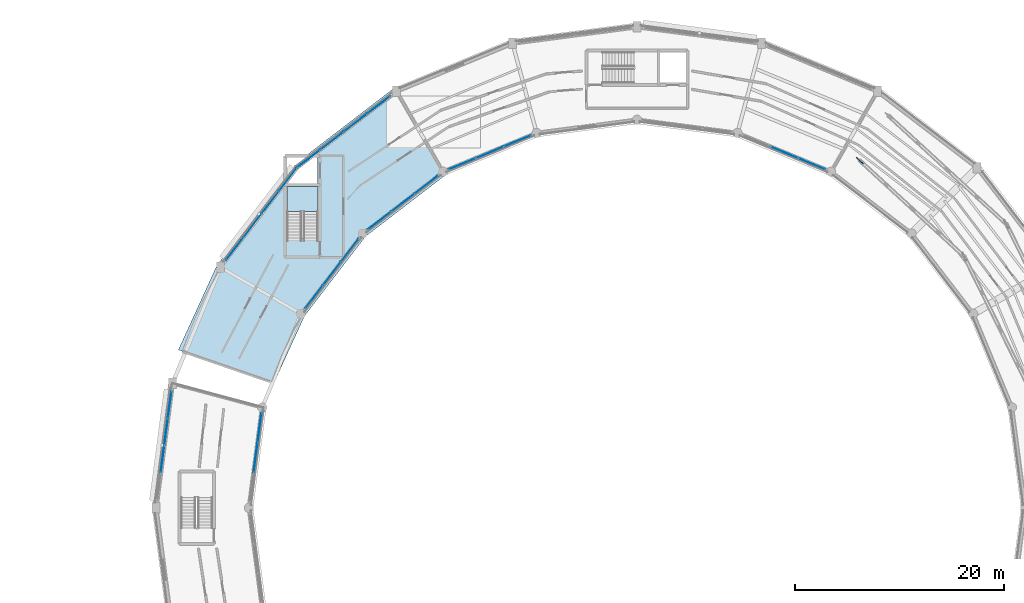
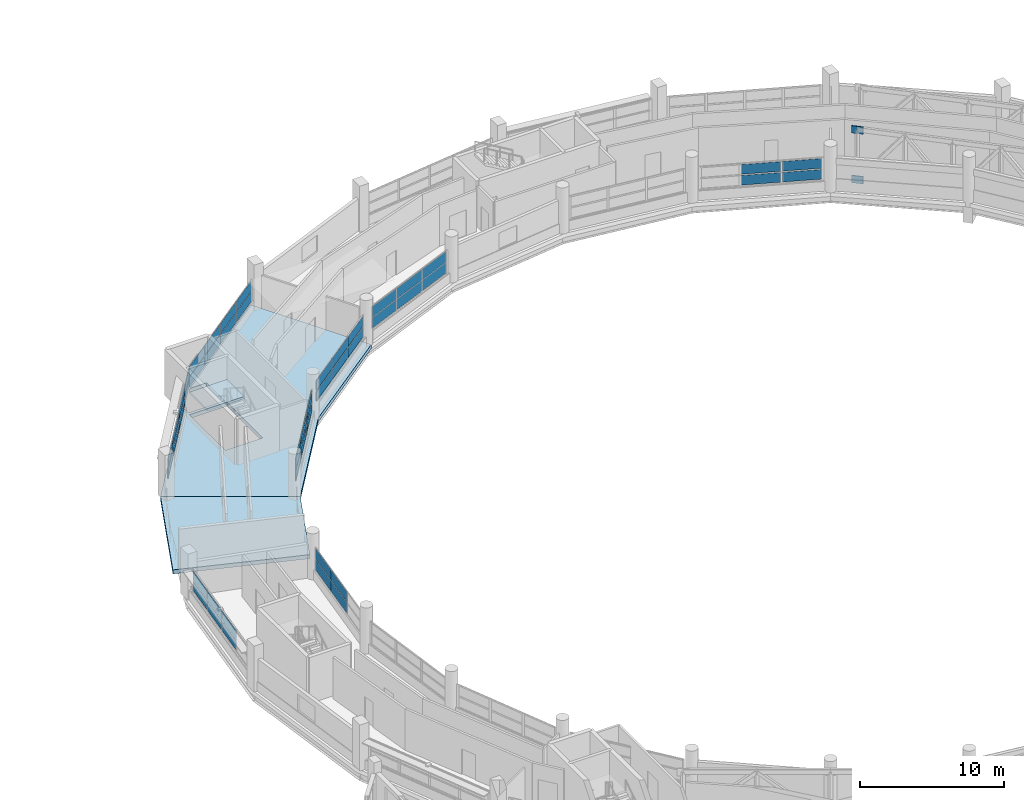
# One storey, part 91 of 121: 50 plates, 3 slabs, 9 elements without a shape of their own.
"""IFC4 building model written with IfcOpenShell, lengths in metres."""

from ifc_helpers import new_model, si_unit, direction, frame, origin, origin_2d, place, context, subcontext, project, spatial, polyline, rectangle, outline, extrude, material, layer, layer_set, type_object, element, aggregate, save


model = new_model("IFC4")

# Units and contexts
model_context = context("Model", 3, precision=1e-05, world=origin(), true_north=direction((0.0, 1.0)))
body_context = subcontext(model_context, "Body", "Model", "MODEL_VIEW")
ifc_project = project(units=[si_unit("LENGTHUNIT", "METRE"), si_unit("AREAUNIT", "SQUARE_METRE"), si_unit("VOLUMEUNIT", "CUBIC_METRE"), si_unit("PLANEANGLEUNIT", "RADIAN"), si_unit("MASSUNIT", "GRAM", prefix="KILO")], contexts=[model_context])

# Site, building, storey
site_placement = place(None, origin())
site = spatial("IfcSite", under=ifc_project, at=site_placement, CompositionType="ELEMENT")
building_placement = place(site_placement, origin())
building = spatial("IfcBuilding", under=site, at=building_placement, Name="Vespera Passage Community Centre", CompositionType="ELEMENT")
storey_placement = place(building_placement, frame((0.0, 0.0, 8.699951171875)))
storey = spatial("IfcBuildingStorey", under=building, at=storey_placement, Name="L02", CompositionType="ELEMENT", Elevation=8.699951171875)

# Curtain wall, plates
ifc_material_1 = material(Name="Anodized aluminium 6063-T6", Category="aluminium")
ifc_layer_1 = layer(ifc_material_1, 0.159912109375)
ifc_layer_set_1 = layer_set([ifc_layer_1], Name="Anodized aluminium 6063-T6")
curtain_wall_type_1 = type_object("IfcCurtainWallType", Name="CW-31E", PredefinedType="NOTDEFINED", material=ifc_layer_set_1)
curtain_wall_1_placement = place(storey_placement, origin())
curtain_wall_1 = element("IfcCurtainWall", 1, at=curtain_wall_1_placement, inside=storey, type_object=curtain_wall_type_1, Name="V4 L02 Outer Ribbon Curtain Wall 9", PredefinedType="NOTDEFINED")
ifc_material_2 = material(Name="Low-E insulated vision glass", Category="glass")
ifc_layer_2 = layer(ifc_material_2, 0.02001953125)
ifc_layer_set_2 = layer_set([ifc_layer_2], Name="Low-E insulated vision glass")
plate_type_1 = type_object("IfcPlateType", Name="PL-CWP-20E", PredefinedType="CURTAIN_PANEL", material=ifc_layer_set_2)
plate_1_placement = place(storey_placement, frame((39.444580078125, 90.333251953125, 0.920166015625), z_axis=(0.0, 0.0, 1.0), x_axis=(0.608765222978, 0.793350429062, 0.0)))
plate_1 = element("IfcPlate", 2, at=plate_1_placement, type_object=plate_type_1, Name="CW-31E panel 1.1", PredefinedType="CURTAIN_PANEL", context=body_context, shape_type="SweptSolid", body=[
    extrude(rectangle(XDim=2.703369140625, YDim=0.02001953125, at=origin_2d()), origin(), (0.0, 0.0, 1.0), 0.78271484375),
])
plate_2_placement = place(storey_placement, frame((39.444580078125, 90.333251953125, 1.802978515625), z_axis=(0.0, 0.0, 1.0), x_axis=(0.608765222978, 0.793350429062, 0.0)))
plate_2 = element("IfcPlate", 3, at=plate_2_placement, type_object=plate_type_1, Name="CW-31E panel 1.2", PredefinedType="CURTAIN_PANEL", context=body_context, shape_type="SweptSolid", body=[
    extrude(rectangle(XDim=2.703369140625, YDim=0.02001953125, at=origin_2d()), origin(), (0.0, 0.0, 1.0), 0.78271484375),
])
plate_3_placement = place(storey_placement, frame((41.1396484375, 92.54248046875, 0.920166015625), z_axis=(0.0, 0.0, 1.0), x_axis=(0.608765222978, 0.793350429062, 0.0)))
plate_3 = element("IfcPlate", 4, at=plate_3_placement, type_object=plate_type_1, Name="CW-31E panel 2.1", PredefinedType="CURTAIN_PANEL", context=body_context, shape_type="SweptSolid", body=[
    extrude(rectangle(XDim=2.73583984375, YDim=0.02001953125, at=origin_2d()), origin(), (0.0, 0.0, 1.0), 0.78271484375),
])
plate_4_placement = place(storey_placement, frame((41.1396484375, 92.54248046875, 1.802978515625), z_axis=(0.0, 0.0, 1.0), x_axis=(0.608765222978, 0.793350429062, 0.0)))
plate_4 = element("IfcPlate", 5, at=plate_4_placement, type_object=plate_type_1, Name="CW-31E panel 2.2", PredefinedType="CURTAIN_PANEL", context=body_context, shape_type="SweptSolid", body=[
    extrude(rectangle(XDim=2.73583984375, YDim=0.02001953125, at=origin_2d()), origin(), (0.0, 0.0, 1.0), 0.78271484375),
])
plate_5_placement = place(storey_placement, frame((42.8447265625, 94.764404296875, 0.920166015625), z_axis=(0.0, 0.0, 1.0), x_axis=(0.608765222978, 0.793350429062, 0.0)))
plate_5 = element("IfcPlate", 6, at=plate_5_placement, type_object=plate_type_1, Name="CW-31E panel 3.1", PredefinedType="CURTAIN_PANEL", context=body_context, shape_type="SweptSolid", body=[
    extrude(rectangle(XDim=2.73583984375, YDim=0.02001953125, at=origin_2d()), origin(), (0.0, 0.0, 1.0), 0.78271484375),
])
plate_6_placement = place(storey_placement, frame((42.8447265625, 94.764404296875, 1.802978515625), z_axis=(0.0, 0.0, 1.0), x_axis=(0.608765222978, 0.793350429062, 0.0)))
plate_6 = element("IfcPlate", 7, at=plate_6_placement, type_object=plate_type_1, Name="CW-31E panel 3.2", PredefinedType="CURTAIN_PANEL", context=body_context, shape_type="SweptSolid", body=[
    extrude(rectangle(XDim=2.73583984375, YDim=0.02001953125, at=origin_2d()), origin(), (0.0, 0.0, 1.0), 0.78271484375),
])
plate_7_placement = place(storey_placement, frame((44.5400390625, 96.9736328125, 0.920166015625), z_axis=(0.0, 0.0, 1.0), x_axis=(0.608765222978, 0.793350429062, 0.0)))
plate_7 = element("IfcPlate", 8, at=plate_7_placement, type_object=plate_type_1, Name="CW-31E panel 4.1", PredefinedType="CURTAIN_PANEL", context=body_context, shape_type="SweptSolid", body=[
    extrude(rectangle(XDim=2.703369140625, YDim=0.02001953125, at=origin_2d()), origin(), (0.0, 0.0, 1.0), 0.78271484375),
])
plate_8_placement = place(storey_placement, frame((44.5400390625, 96.9736328125, 1.802978515625), z_axis=(0.0, 0.0, 1.0), x_axis=(0.608765222978, 0.793350429062, 0.0)))
plate_8 = element("IfcPlate", 9, at=plate_8_placement, type_object=plate_type_1, Name="CW-31E panel 4.2", PredefinedType="CURTAIN_PANEL", context=body_context, shape_type="SweptSolid", body=[
    extrude(rectangle(XDim=2.703369140625, YDim=0.02001953125, at=origin_2d()), origin(), (0.0, 0.0, 1.0), 0.78271484375),
])
aggregate(curtain_wall_1, [plate_1, plate_2, plate_3, plate_4, plate_5, plate_6, plate_7, plate_8])

ifc_material_3 = material(Name="Anodized aluminium 6063-T6", Category="aluminium")
ifc_layer_3 = layer(ifc_material_3, 0.159912109375)
ifc_layer_set_3 = layer_set([ifc_layer_3], Name="Anodized aluminium 6063-T6")
curtain_wall_type_2 = type_object("IfcCurtainWallType", Name="CW-32E", PredefinedType="NOTDEFINED", material=ifc_layer_set_3)
curtain_wall_2_placement = place(storey_placement, origin())
curtain_wall_2 = element("IfcCurtainWall", 10, at=curtain_wall_2_placement, inside=storey, type_object=curtain_wall_type_2, Name="V4 L02 Inner Court Curtain Wall 9", PredefinedType="NOTDEFINED")
plate_9_placement = place(storey_placement, frame((50.458251953125, 90.191650390625, 0.880126953125), z_axis=(0.0, 0.0, 1.0), x_axis=(-0.608755087843, -0.793358205999, 0.0)))
plate_9 = element("IfcPlate", 11, at=plate_9_placement, type_object=plate_type_1, Name="CW-32E panel 1.1", PredefinedType="CURTAIN_PANEL", context=body_context, shape_type="SweptSolid", body=[
    extrude(rectangle(XDim=2.72900390625, YDim=0.02001953125, at=origin_2d()), origin(), (0.0, 0.0, 1.0), 0.884765625),
])
plate_10_placement = place(storey_placement, frame((50.458251953125, 90.191650390625, 1.82470703125), z_axis=(0.0, 0.0, 1.0), x_axis=(-0.608755087843, -0.793358205999, 0.0)))
plate_10 = element("IfcPlate", 12, at=plate_10_placement, type_object=plate_type_1, Name="CW-32E panel 1.2", PredefinedType="CURTAIN_PANEL", context=body_context, shape_type="SweptSolid", body=[
    extrude(rectangle(XDim=2.72900390625, YDim=0.02001953125, at=origin_2d()), origin(), (0.0, 0.0, 1.0), 0.884765625),
])
plate_11_placement = place(storey_placement, frame((48.73974609375, 87.9521484375, 0.880126953125), z_axis=(0.0, 0.0, 1.0), x_axis=(-0.608755087843, -0.793358205999, 0.0)))
plate_11 = element("IfcPlate", 13, at=plate_11_placement, type_object=plate_type_1, Name="CW-32E panel 2.1", PredefinedType="CURTAIN_PANEL", context=body_context, shape_type="SweptSolid", body=[
    extrude(rectangle(XDim=2.7666015625, YDim=0.02001953125, at=origin_2d()), origin(), (0.0, 0.0, 1.0), 0.884765625),
])
plate_12_placement = place(storey_placement, frame((48.73974609375, 87.9521484375, 1.82470703125), z_axis=(0.0, 0.0, 1.0), x_axis=(-0.608755087843, -0.793358205999, 0.0)))
plate_12 = element("IfcPlate", 14, at=plate_12_placement, type_object=plate_type_1, Name="CW-32E panel 2.2", PredefinedType="CURTAIN_PANEL", context=body_context, shape_type="SweptSolid", body=[
    extrude(rectangle(XDim=2.7666015625, YDim=0.02001953125, at=origin_2d()), origin(), (0.0, 0.0, 1.0), 0.884765625),
])
plate_13_placement = place(storey_placement, frame((47.021240234375, 85.712646484375, 0.880126953125), z_axis=(0.0, 0.0, 1.0), x_axis=(-0.608755087843, -0.793358205999, 0.0)))
plate_13 = element("IfcPlate", 15, at=plate_13_placement, type_object=plate_type_1, Name="CW-32E panel 3.1", PredefinedType="CURTAIN_PANEL", context=body_context, shape_type="SweptSolid", body=[
    extrude(rectangle(XDim=2.72900390625, YDim=0.02001953125, at=origin_2d()), origin(), (0.0, 0.0, 1.0), 0.884765625),
])
plate_14_placement = place(storey_placement, frame((47.021240234375, 85.712646484375, 1.82470703125), z_axis=(0.0, 0.0, 1.0), x_axis=(-0.608755087843, -0.793358205999, 0.0)))
plate_14 = element("IfcPlate", 16, at=plate_14_placement, type_object=plate_type_1, Name="CW-32E panel 3.2", PredefinedType="CURTAIN_PANEL", context=body_context, shape_type="SweptSolid", body=[
    extrude(rectangle(XDim=2.72900390625, YDim=0.02001953125, at=origin_2d()), origin(), (0.0, 0.0, 1.0), 0.884765625),
])
aggregate(curtain_wall_2, [plate_9, plate_10, plate_11, plate_12, plate_13, plate_14])

ifc_material_4 = material(Name="Anodized aluminium 6063-T6", Category="aluminium")
ifc_layer_4 = layer(ifc_material_4, 0.159912109375)
ifc_layer_set_4 = layer_set([ifc_layer_4], Name="Anodized aluminium 6063-T6")
curtain_wall_type_3 = type_object("IfcCurtainWallType", Name="CW-25E", PredefinedType="NOTDEFINED", material=ifc_layer_set_4)
curtain_wall_3_placement = place(storey_placement, origin())
curtain_wall_3 = element("IfcCurtainWall", 17, at=curtain_wall_3_placement, inside=storey, type_object=curtain_wall_type_3, Name="V4 L02 Inner Court Curtain Wall 4", PredefinedType="NOTDEFINED")
ifc_material_5 = material(Name="Low-E insulated vision glass", Category="glass")
ifc_layer_5 = layer(ifc_material_5, 0.028076171875)
ifc_layer_set_5 = layer_set([ifc_layer_5], Name="Low-E insulated vision glass")
plate_type_2 = type_object("IfcPlateType", Name="PL-CWP-28E", PredefinedType="CURTAIN_PANEL", material=ifc_layer_set_5)
plate_15_placement = place(storey_placement, frame((94.7548828125, 98.480224609375, 0.920166015625), z_axis=(0.0, 0.0, 1.0), x_axis=(-0.923876620096, 0.382690463482, 0.0)))
plate_15 = element("IfcPlate", 18, at=plate_15_placement, type_object=plate_type_2, Name="CW-25E panel 1.1", PredefinedType="CURTAIN_PANEL", context=body_context, shape_type="SweptSolid", body=[
    extrude(rectangle(XDim=2.7646484375, YDim=0.028076171875, at=origin_2d()), origin(), (0.0, 0.0, 1.0), 0.82470703125),
])
plate_16_placement = place(storey_placement, frame((94.7548828125, 98.480224609375, 1.8447265625), z_axis=(0.0, 0.0, 1.0), x_axis=(-0.923876620096, 0.382690463482, 0.0)))
plate_16 = element("IfcPlate", 19, at=plate_16_placement, type_object=plate_type_2, Name="CW-25E panel 1.2", PredefinedType="CURTAIN_PANEL", context=body_context, shape_type="SweptSolid", body=[
    extrude(rectangle(XDim=2.7646484375, YDim=0.028076171875, at=origin_2d()), origin(), (0.0, 0.0, 1.0), 0.82470703125),
])
plate_17_placement = place(storey_placement, frame((92.114013671875, 99.57421875, 0.920166015625), z_axis=(0.0, 0.0, 1.0), x_axis=(-0.923876620096, 0.382690463482, 0.0)))
plate_17 = element("IfcPlate", 20, at=plate_17_placement, type_object=plate_type_2, Name="CW-25E panel 2.1", PredefinedType="CURTAIN_PANEL", context=body_context, shape_type="SweptSolid", body=[
    extrude(rectangle(XDim=2.80224609375, YDim=0.028076171875, at=origin_2d()), origin(), (0.0, 0.0, 1.0), 0.82470703125),
])
plate_18_placement = place(storey_placement, frame((92.114013671875, 99.57421875, 1.8447265625), z_axis=(0.0, 0.0, 1.0), x_axis=(-0.923876620096, 0.382690463482, 0.0)))
plate_18 = element("IfcPlate", 21, at=plate_18_placement, type_object=plate_type_2, Name="CW-25E panel 2.2", PredefinedType="CURTAIN_PANEL", context=body_context, shape_type="SweptSolid", body=[
    extrude(rectangle(XDim=2.80224609375, YDim=0.028076171875, at=origin_2d()), origin(), (0.0, 0.0, 1.0), 0.82470703125),
])
aggregate(curtain_wall_3, [plate_15, plate_16, plate_17, plate_18])

curtain_wall_4_placement = place(storey_placement, origin())
curtain_wall_4 = element("IfcCurtainWall", 22, at=curtain_wall_4_placement, inside=storey, type_object=curtain_wall_type_3, Name="V4 L02 Inner Court Curtain Wall 7", PredefinedType="NOTDEFINED")
plate_19_placement = place(storey_placement, frame((66.52685546875, 100.668212890625, 0.880126953125), z_axis=(0.0, 0.0, 1.0), x_axis=(-0.923876620096, -0.382690463482, 0.0)))
plate_19 = element("IfcPlate", 23, at=plate_19_placement, type_object=plate_type_2, Name="CW-25E panel 1.1", PredefinedType="CURTAIN_PANEL", context=body_context, shape_type="SweptSolid", body=[
    extrude(rectangle(XDim=2.7646484375, YDim=0.028076171875, at=origin_2d()), origin(), (0.0, 0.0, 1.0), 0.884765625),
])
plate_20_placement = place(storey_placement, frame((66.52685546875, 100.668212890625, 1.82470703125), z_axis=(0.0, 0.0, 1.0), x_axis=(-0.923876620096, -0.382690463482, 0.0)))
plate_20 = element("IfcPlate", 24, at=plate_20_placement, type_object=plate_type_2, Name="CW-25E panel 1.2", PredefinedType="CURTAIN_PANEL", context=body_context, shape_type="SweptSolid", body=[
    extrude(rectangle(XDim=2.7646484375, YDim=0.028076171875, at=origin_2d()), origin(), (0.0, 0.0, 1.0), 0.884765625),
])
plate_21_placement = place(storey_placement, frame((63.885986328125, 99.57421875, 0.880126953125), z_axis=(0.0, 0.0, 1.0), x_axis=(-0.923876620096, -0.382690463482, 0.0)))
plate_21 = element("IfcPlate", 25, at=plate_21_placement, type_object=plate_type_2, Name="CW-25E panel 2.1", PredefinedType="CURTAIN_PANEL", context=body_context, shape_type="SweptSolid", body=[
    extrude(rectangle(XDim=2.80224609375, YDim=0.028076171875, at=origin_2d()), origin(), (0.0, 0.0, 1.0), 0.884765625),
])
plate_22_placement = place(storey_placement, frame((63.885986328125, 99.57421875, 1.82470703125), z_axis=(0.0, 0.0, 1.0), x_axis=(-0.923876620096, -0.382690463482, 0.0)))
plate_22 = element("IfcPlate", 26, at=plate_22_placement, type_object=plate_type_2, Name="CW-25E panel 2.2", PredefinedType="CURTAIN_PANEL", context=body_context, shape_type="SweptSolid", body=[
    extrude(rectangle(XDim=2.80224609375, YDim=0.028076171875, at=origin_2d()), origin(), (0.0, 0.0, 1.0), 0.884765625),
])
plate_23_placement = place(storey_placement, frame((61.2451171875, 98.480224609375, 0.880126953125), z_axis=(0.0, 0.0, 1.0), x_axis=(-0.923876620096, -0.382690463482, 0.0)))
plate_23 = element("IfcPlate", 27, at=plate_23_placement, type_object=plate_type_2, Name="CW-25E panel 3.1", PredefinedType="CURTAIN_PANEL", context=body_context, shape_type="SweptSolid", body=[
    extrude(rectangle(XDim=2.7646484375, YDim=0.028076171875, at=origin_2d()), origin(), (0.0, 0.0, 1.0), 0.884765625),
])
plate_24_placement = place(storey_placement, frame((61.2451171875, 98.480224609375, 1.82470703125), z_axis=(0.0, 0.0, 1.0), x_axis=(-0.923876620096, -0.382690463482, 0.0)))
plate_24 = element("IfcPlate", 28, at=plate_24_placement, type_object=plate_type_2, Name="CW-25E panel 3.2", PredefinedType="CURTAIN_PANEL", context=body_context, shape_type="SweptSolid", body=[
    extrude(rectangle(XDim=2.7646484375, YDim=0.028076171875, at=origin_2d()), origin(), (0.0, 0.0, 1.0), 0.884765625),
])
aggregate(curtain_wall_4, [plate_19, plate_20, plate_21, plate_22, plate_23, plate_24])

ifc_material_6 = material(Name="Anodized aluminium 6063-T6", Category="aluminium")
ifc_layer_6 = layer(ifc_material_6, 0.159912109375)
ifc_layer_set_6 = layer_set([ifc_layer_6], Name="Anodized aluminium 6063-T6")
curtain_wall_type_4 = type_object("IfcCurtainWallType", Name="CW-30E", PredefinedType="NOTDEFINED", material=ifc_layer_set_6)
curtain_wall_5_placement = place(storey_placement, origin())
curtain_wall_5 = element("IfcCurtainWall", 29, at=curtain_wall_5_placement, inside=storey, type_object=curtain_wall_type_4, Name="V4 L02 Inner Court Curtain Wall 8", PredefinedType="NOTDEFINED")
ifc_material_7 = material(Name="Acoustic triple-glazed vision glass", Category="glass")
ifc_layer_7 = layer(ifc_material_7, 0.035888671875)
ifc_layer_set_7 = layer_set([ifc_layer_7], Name="Acoustic triple-glazed vision glass")
plate_type_3 = type_object("IfcPlateType", Name="PL-CWP-36E", PredefinedType="CURTAIN_PANEL", material=ifc_layer_set_7)
plate_25_placement = place(storey_placement, frame((57.789306640625, 96.480224609375, 0.920166015625), z_axis=(0.0, 0.0, 1.0), x_axis=(-0.793358205999, -0.608755087843, 0.0)))
plate_25 = element("IfcPlate", 30, at=plate_25_placement, type_object=plate_type_3, Name="CW-30E panel 1.1", PredefinedType="CURTAIN_PANEL", context=body_context, shape_type="SweptSolid", body=[
    extrude(rectangle(XDim=2.744140625, YDim=0.035888671875, at=origin_2d()), origin(), (0.0, 0.0, 1.0), 0.82470703125),
])
plate_26_placement = place(storey_placement, frame((57.789306640625, 96.480224609375, 1.8447265625), z_axis=(0.0, 0.0, 1.0), x_axis=(-0.793358205999, -0.608755087843, 0.0)))
plate_26 = element("IfcPlate", 31, at=plate_26_placement, type_object=plate_type_3, Name="CW-30E panel 1.2", PredefinedType="CURTAIN_PANEL", context=body_context, shape_type="SweptSolid", body=[
    extrude(rectangle(XDim=2.744140625, YDim=0.035888671875, at=origin_2d()), origin(), (0.0, 0.0, 1.0), 0.82470703125),
])
plate_27_placement = place(storey_placement, frame((55.5478515625, 94.76025390625, 0.920166015625), z_axis=(0.0, 0.0, 1.0), x_axis=(-0.793358205999, -0.608755087843, 0.0)))
plate_27 = element("IfcPlate", 32, at=plate_27_placement, type_object=plate_type_3, Name="CW-30E panel 2.1", PredefinedType="CURTAIN_PANEL", context=body_context, shape_type="SweptSolid", body=[
    extrude(rectangle(XDim=2.776611328125, YDim=0.035888671875, at=origin_2d()), origin(), (0.0, 0.0, 1.0), 0.82470703125),
])
plate_28_placement = place(storey_placement, frame((55.5478515625, 94.76025390625, 1.8447265625), z_axis=(0.0, 0.0, 1.0), x_axis=(-0.793358205999, -0.608755087843, 0.0)))
plate_28 = element("IfcPlate", 33, at=plate_28_placement, type_object=plate_type_3, Name="CW-30E panel 2.2", PredefinedType="CURTAIN_PANEL", context=body_context, shape_type="SweptSolid", body=[
    extrude(rectangle(XDim=2.776611328125, YDim=0.035888671875, at=origin_2d()), origin(), (0.0, 0.0, 1.0), 0.82470703125),
])
plate_29_placement = place(storey_placement, frame((53.306396484375, 93.040283203125, 0.920166015625), z_axis=(0.0, 0.0, 1.0), x_axis=(-0.793358205999, -0.608755087843, 0.0)))
plate_29 = element("IfcPlate", 34, at=plate_29_placement, type_object=plate_type_3, Name="CW-30E panel 3.1", PredefinedType="CURTAIN_PANEL", context=body_context, shape_type="SweptSolid", body=[
    extrude(rectangle(XDim=2.744140625, YDim=0.035888671875, at=origin_2d()), origin(), (0.0, 0.0, 1.0), 0.82470703125),
])
plate_30_placement = place(storey_placement, frame((53.306396484375, 93.040283203125, 1.8447265625), z_axis=(0.0, 0.0, 1.0), x_axis=(-0.793358205999, -0.608755087843, 0.0)))
plate_30 = element("IfcPlate", 35, at=plate_30_placement, type_object=plate_type_3, Name="CW-30E panel 3.2", PredefinedType="CURTAIN_PANEL", context=body_context, shape_type="SweptSolid", body=[
    extrude(rectangle(XDim=2.744140625, YDim=0.035888671875, at=origin_2d()), origin(), (0.0, 0.0, 1.0), 0.82470703125),
])
aggregate(curtain_wall_5, [plate_25, plate_26, plate_27, plate_28, plate_29, plate_30])

ifc_material_8 = material(Name="Anodized aluminium 6063-T6", Category="aluminium")
ifc_layer_8 = layer(ifc_material_8, 0.159912109375)
ifc_layer_set_8 = layer_set([ifc_layer_8], Name="Anodized aluminium 6063-T6")
curtain_wall_type_5 = type_object("IfcCurtainWallType", Name="CW-33E", PredefinedType="NOTDEFINED", material=ifc_layer_set_8)
curtain_wall_6_placement = place(storey_placement, origin())
curtain_wall_6 = element("IfcCurtainWall", 36, at=curtain_wall_6_placement, inside=storey, type_object=curtain_wall_type_5, Name="V4 L02 Outer Ribbon Curtain Wall 11", PredefinedType="NOTDEFINED")
plate_31_placement = place(storey_placement, frame((32.512451171875, 70.152587890625, 0.920166015625), z_axis=(0.0, 0.0, 1.0), x_axis=(0.130522869458, 0.991445298818, 0.0)))
plate_31 = element("IfcPlate", 37, at=plate_31_placement, type_object=plate_type_3, Name="CW-33E panel 2.1", PredefinedType="CURTAIN_PANEL", context=body_context, shape_type="SweptSolid", body=[
    extrude(rectangle(XDim=2.573974609375, YDim=0.035888671875, at=origin_2d()), origin(), (0.0, 0.0, 1.0), 0.78271484375),
])
plate_32_placement = place(storey_placement, frame((32.512451171875, 70.152587890625, 1.802978515625), z_axis=(0.0, 0.0, 1.0), x_axis=(0.130522869458, 0.991445298818, 0.0)))
plate_32 = element("IfcPlate", 38, at=plate_32_placement, type_object=plate_type_3, Name="CW-33E panel 2.2", PredefinedType="CURTAIN_PANEL", context=body_context, shape_type="SweptSolid", body=[
    extrude(rectangle(XDim=2.573974609375, YDim=0.035888671875, at=origin_2d()), origin(), (0.0, 0.0, 1.0), 0.78271484375),
])
plate_33_placement = place(storey_placement, frame((32.858154296875, 72.779052734375, 0.920166015625), z_axis=(0.0, 0.0, 1.0), x_axis=(0.130522869458, 0.991445298818, 0.0)))
plate_33 = element("IfcPlate", 39, at=plate_33_placement, type_object=plate_type_3, Name="CW-33E panel 3.1", PredefinedType="CURTAIN_PANEL", context=body_context, shape_type="SweptSolid", body=[
    extrude(rectangle(XDim=2.573974609375, YDim=0.035888671875, at=origin_2d()), origin(), (0.0, 0.0, 1.0), 0.78271484375),
])
plate_34_placement = place(storey_placement, frame((32.858154296875, 72.779052734375, 1.802978515625), z_axis=(0.0, 0.0, 1.0), x_axis=(0.130522869458, 0.991445298818, 0.0)))
plate_34 = element("IfcPlate", 40, at=plate_34_placement, type_object=plate_type_3, Name="CW-33E panel 3.2", PredefinedType="CURTAIN_PANEL", context=body_context, shape_type="SweptSolid", body=[
    extrude(rectangle(XDim=2.573974609375, YDim=0.035888671875, at=origin_2d()), origin(), (0.0, 0.0, 1.0), 0.78271484375),
])
plate_35_placement = place(storey_placement, frame((33.20166015625, 75.38671875, 0.920166015625), z_axis=(0.0, 0.0, 1.0), x_axis=(0.130522869458, 0.991445298818, 0.0)))
plate_35 = element("IfcPlate", 41, at=plate_35_placement, type_object=plate_type_3, Name="CW-33E panel 4.1", PredefinedType="CURTAIN_PANEL", context=body_context, shape_type="SweptSolid", body=[
    extrude(rectangle(XDim=2.536376953125, YDim=0.035888671875, at=origin_2d()), origin(), (0.0, 0.0, 1.0), 0.78271484375),
])
plate_36_placement = place(storey_placement, frame((33.20166015625, 75.38671875, 1.802978515625), z_axis=(0.0, 0.0, 1.0), x_axis=(0.130522869458, 0.991445298818, 0.0)))
plate_36 = element("IfcPlate", 42, at=plate_36_placement, type_object=plate_type_3, Name="CW-33E panel 4.2", PredefinedType="CURTAIN_PANEL", context=body_context, shape_type="SweptSolid", body=[
    extrude(rectangle(XDim=2.536376953125, YDim=0.035888671875, at=origin_2d()), origin(), (0.0, 0.0, 1.0), 0.78271484375),
])
aggregate(curtain_wall_6, [plate_31, plate_32, plate_33, plate_34, plate_35, plate_36])

ifc_material_9 = material(Name="Anodized aluminium 6063-T6", Category="aluminium")
ifc_layer_9 = layer(ifc_material_9, 0.159912109375)
ifc_layer_set_9 = layer_set([ifc_layer_9], Name="Anodized aluminium 6063-T6")
curtain_wall_type_6 = type_object("IfcCurtainWallType", Name="CW-27E", PredefinedType="NOTDEFINED", material=ifc_layer_set_9)
curtain_wall_7_placement = place(storey_placement, origin())
curtain_wall_7 = element("IfcCurtainWall", 43, at=curtain_wall_7_placement, inside=storey, type_object=curtain_wall_type_6, Name="V4 L02 Inner Court Curtain Wall 11", PredefinedType="NOTDEFINED")
plate_37_placement = place(storey_placement, frame((41.80908203125, 73.165283203125, 0.880126953125), z_axis=(0.0, 0.0, 1.0), x_axis=(-0.1305221941, -0.991445387728, 0.0)))
plate_37 = element("IfcPlate", 44, at=plate_37_placement, type_object=plate_type_3, Name="CW-27E panel 1.1", PredefinedType="CURTAIN_PANEL", context=body_context, shape_type="SweptSolid", body=[
    extrude(rectangle(XDim=2.79443359375, YDim=0.035888671875, at=origin_2d()), origin(), (0.0, 0.0, 1.0), 0.884765625),
])
plate_38_placement = place(storey_placement, frame((41.80908203125, 73.165283203125, 1.82470703125), z_axis=(0.0, 0.0, 1.0), x_axis=(-0.1305221941, -0.991445387728, 0.0)))
plate_38 = element("IfcPlate", 45, at=plate_38_placement, type_object=plate_type_3, Name="CW-27E panel 1.2", PredefinedType="CURTAIN_PANEL", context=body_context, shape_type="SweptSolid", body=[
    extrude(rectangle(XDim=2.79443359375, YDim=0.035888671875, at=origin_2d()), origin(), (0.0, 0.0, 1.0), 0.884765625),
])
plate_39_placement = place(storey_placement, frame((41.433837890625, 70.31396484375, 0.880126953125), z_axis=(0.0, 0.0, 1.0), x_axis=(-0.1305221941, -0.991445387728, 0.0)))
plate_39 = element("IfcPlate", 46, at=plate_39_placement, type_object=plate_type_3, Name="CW-27E panel 2.1", PredefinedType="CURTAIN_PANEL", context=body_context, shape_type="SweptSolid", body=[
    extrude(rectangle(XDim=2.826904296875, YDim=0.035888671875, at=origin_2d()), origin(), (0.0, 0.0, 1.0), 0.884765625),
])
plate_40_placement = place(storey_placement, frame((41.433837890625, 70.31396484375, 1.82470703125), z_axis=(0.0, 0.0, 1.0), x_axis=(-0.1305221941, -0.991445387728, 0.0)))
plate_40 = element("IfcPlate", 47, at=plate_40_placement, type_object=plate_type_3, Name="CW-27E panel 2.2", PredefinedType="CURTAIN_PANEL", context=body_context, shape_type="SweptSolid", body=[
    extrude(rectangle(XDim=2.826904296875, YDim=0.035888671875, at=origin_2d()), origin(), (0.0, 0.0, 1.0), 0.884765625),
])
aggregate(curtain_wall_7, [plate_37, plate_38, plate_39, plate_40])

ifc_material_10 = material(Name="Anodized aluminium 6063-T6", Category="aluminium")
ifc_layer_10 = layer(ifc_material_10, 0.159912109375)
ifc_layer_set_10 = layer_set([ifc_layer_10], Name="Anodized aluminium 6063-T6")
curtain_wall_type_7 = type_object("IfcCurtainWallType", Name="CW-29E", PredefinedType="NOTDEFINED", material=ifc_layer_set_10)
curtain_wall_8_placement = place(storey_placement, origin())
curtain_wall_8 = element("IfcCurtainWall", 48, at=curtain_wall_8_placement, inside=storey, type_object=curtain_wall_type_7, Name="V4 L02 Outer Ribbon Curtain Wall 8", PredefinedType="NOTDEFINED")
ifc_material_11 = material(Name="Translucent glass block", Category="glass")
ifc_layer_11 = layer(ifc_material_11, 0.044921875)
ifc_layer_set_11 = layer_set([ifc_layer_11], Name="Translucent glass block")
plate_type_4 = type_object("IfcPlateType", Name="PL-CWP-45E", PredefinedType="CURTAIN_PANEL", material=ifc_layer_set_11)
plate_41_placement = place(storey_placement, frame((46.54248046875, 98.972412109375, 0.880126953125), z_axis=(0.0, 0.0, 1.0), x_axis=(0.793348128169, 0.608768221519, 0.0)))
plate_41 = element("IfcPlate", 49, at=plate_41_placement, type_object=plate_type_4, Name="CW-29E panel 1.1", PredefinedType="CURTAIN_PANEL", context=body_context, shape_type="SweptSolid", body=[
    extrude(rectangle(XDim=2.72412109375, YDim=0.044921875, at=origin_2d()), origin(), (0.0, 0.0, 1.0), 0.8427734375),
])
plate_42_placement = place(storey_placement, frame((46.54248046875, 98.972412109375, 1.782958984375), z_axis=(0.0, 0.0, 1.0), x_axis=(0.793348128169, 0.608768221519, 0.0)))
plate_42 = element("IfcPlate", 50, at=plate_42_placement, type_object=plate_type_4, Name="CW-29E panel 1.2", PredefinedType="CURTAIN_PANEL", context=body_context, shape_type="SweptSolid", body=[
    extrude(rectangle(XDim=2.72412109375, YDim=0.044921875, at=origin_2d()), origin(), (0.0, 0.0, 1.0), 0.8427734375),
])
plate_43_placement = place(storey_placement, frame((48.778076171875, 100.68798828125, 0.880126953125), z_axis=(0.0, 0.0, 1.0), x_axis=(0.793348128169, 0.608768221519, 0.0)))
plate_43 = element("IfcPlate", 51, at=plate_43_placement, type_object=plate_type_4, Name="CW-29E panel 2.1", PredefinedType="CURTAIN_PANEL", context=body_context, shape_type="SweptSolid", body=[
    extrude(rectangle(XDim=2.76171875, YDim=0.044921875, at=origin_2d()), origin(), (0.0, 0.0, 1.0), 0.8427734375),
])
plate_44_placement = place(storey_placement, frame((48.778076171875, 100.68798828125, 1.782958984375), z_axis=(0.0, 0.0, 1.0), x_axis=(0.793348128169, 0.608768221519, 0.0)))
plate_44 = element("IfcPlate", 52, at=plate_44_placement, type_object=plate_type_4, Name="CW-29E panel 2.2", PredefinedType="CURTAIN_PANEL", context=body_context, shape_type="SweptSolid", body=[
    extrude(rectangle(XDim=2.76171875, YDim=0.044921875, at=origin_2d()), origin(), (0.0, 0.0, 1.0), 0.8427734375),
])
plate_45_placement = place(storey_placement, frame((51.028564453125, 102.414794921875, 0.880126953125), z_axis=(0.0, 0.0, 1.0), x_axis=(0.793348128169, 0.608768221519, 0.0)))
plate_45 = element("IfcPlate", 53, at=plate_45_placement, type_object=plate_type_4, Name="CW-29E panel 3.1", PredefinedType="CURTAIN_PANEL", context=body_context, shape_type="SweptSolid", body=[
    extrude(rectangle(XDim=2.76171875, YDim=0.044921875, at=origin_2d()), origin(), (0.0, 0.0, 1.0), 0.8427734375),
])
plate_46_placement = place(storey_placement, frame((51.028564453125, 102.414794921875, 1.782958984375), z_axis=(0.0, 0.0, 1.0), x_axis=(0.793348128169, 0.608768221519, 0.0)))
plate_46 = element("IfcPlate", 54, at=plate_46_placement, type_object=plate_type_4, Name="CW-29E panel 3.2", PredefinedType="CURTAIN_PANEL", context=body_context, shape_type="SweptSolid", body=[
    extrude(rectangle(XDim=2.76171875, YDim=0.044921875, at=origin_2d()), origin(), (0.0, 0.0, 1.0), 0.8427734375),
])
plate_47_placement = place(storey_placement, frame((53.26416015625, 104.13037109375, 0.880126953125), z_axis=(0.0, 0.0, 1.0), x_axis=(0.793348128169, 0.608768221519, 0.0)))
plate_47 = element("IfcPlate", 55, at=plate_47_placement, type_object=plate_type_4, Name="CW-29E panel 4.1", PredefinedType="CURTAIN_PANEL", context=body_context, shape_type="SweptSolid", body=[
    extrude(rectangle(XDim=2.72412109375, YDim=0.044921875, at=origin_2d()), origin(), (0.0, 0.0, 1.0), 0.8427734375),
])
plate_48_placement = place(storey_placement, frame((53.26416015625, 104.13037109375, 1.782958984375), z_axis=(0.0, 0.0, 1.0), x_axis=(0.793348128169, 0.608768221519, 0.0)))
plate_48 = element("IfcPlate", 56, at=plate_48_placement, type_object=plate_type_4, Name="CW-29E panel 4.2", PredefinedType="CURTAIN_PANEL", context=body_context, shape_type="SweptSolid", body=[
    extrude(rectangle(XDim=2.72412109375, YDim=0.044921875, at=origin_2d()), origin(), (0.0, 0.0, 1.0), 0.8427734375),
])
aggregate(curtain_wall_8, [plate_41, plate_42, plate_43, plate_44, plate_45, plate_46, plate_47, plate_48])

# Plates
ifc_material_12 = material(Name="Steel ASTM A572 Grade 50", Category="steel")
ifc_layer_12 = layer(ifc_material_12, 0.074951171875)
ifc_layer_set_12 = layer_set([ifc_layer_12], Name="Steel ASTM A572 Grade 50")
plate_type_5 = type_object("IfcPlateType", Name="PL-NODE-75", PredefinedType="SHEET", material=ifc_layer_set_12)
for number, where, z_axis, x_axis, name in (
    (57, (99.366455078125, 98.78173828125, -1.10009765625), (0.0, 0.0, 1.0), (-0.73609708712, 0.676875969683, 0.0), "Truss TR7I Gusset Plate B5"),
    (58, (99.366455078125, 98.78173828125, 3.110107421875), (0.0, 0.0, 1.0), (-0.73609708712, 0.676875969683, 0.0), "Truss TR7I Gusset Plate T5"),
):
    element("IfcPlate", number, at=place(storey_placement, frame(where, z_axis=z_axis, x_axis=x_axis)), inside=storey, type_object=plate_type_5, Name=name, PredefinedType="SHEET", context=body_context, shape_type="SweptSolid", body=[
        extrude(rectangle(XDim=0.840087890625, YDim=0.074951171875, at=origin_2d()), origin(), (0.0, 0.0, 1.0), 0.6201171875),
    ])

# Stair, slab
ifc_material_13 = material(Name="Concrete f'c 35 MPa", Category="concrete")
stair_type = type_object("IfcStairType", Name="ST-T03", PredefinedType="HALF_TURN_STAIR", material=ifc_material_13)
stair_placement = place(storey_placement, origin())
stair = element("IfcStair", 59, at=stair_placement, inside=storey, type_object=stair_type, Name="L02 Core C1 Exit Stair ST03", PredefinedType="HALF_TURN_STAIR")
ifc_material_14 = material(Name="Concrete f'c 35 MPa", Category="concrete")
ifc_layer_13 = layer(ifc_material_14, 0.199951171875)
ifc_layer_set_13 = layer_set([ifc_layer_13], Name="Concrete f'c 35 MPa")
slab_type_1 = type_object("IfcSlabType", Name="SL-LAND-200I", PredefinedType="LANDING", material=ifc_layer_set_13)
slab_1_placement = place(storey_placement, frame((0.0, 0.0, 1.75)))
slab_1 = element("IfcSlab", 60, at=slab_1_placement, type_object=slab_type_1, Name="ST03 landing 1", PredefinedType="LANDING", context=body_context, shape_type="SweptSolid", body=[
    extrude(outline(polyline([(47.43310546875, 93.927978515625), (47.43310546875, 96.327880859375), (44.43310546875, 96.327880859375), (44.43310546875, 93.927978515625), (47.43310546875, 93.927978515625)])), origin(), (0.0, 0.0, 1.0), 0.199951171875),
])
aggregate(stair, [slab_1])

# Slabs
ifc_material_15 = material(Name="Concrete f'c 45 MPa", Category="concrete")
ifc_layer_14 = layer(ifc_material_15, 0.340087890625)
ifc_layer_set_14 = layer_set([ifc_layer_14], Name="Concrete f'c 45 MPa")
slab_type_2 = type_object("IfcSlabType", Name="SL-XFER-340", PredefinedType="FLOOR", material=ifc_layer_set_14)
slab_2_placement = place(storey_placement, frame((0.0, 0.0, -0.33984375)))
element("IfcSlab", 61, at=slab_2_placement, inside=storey, type_object=slab_type_2, Name="V4 L02 Annular Sector 3 Slab", PredefinedType="FLOOR", context=body_context, shape_type="SweptSolid", body=[
    extrude(outline(polyline([(51.978515625, 91.521484375), (46.13037109375, 83.89990234375), (37.729736328125, 88.75), (44.48291015625, 97.551025390625), (44.48291015625, 96.568115234375), (47.383056640625, 96.568115234375), (47.383056640625, 99.068115234375), (46.015380859375, 99.068115234375), (54.75, 105.770263671875), (59.60009765625, 97.36962890625), (51.978515625, 91.521484375)]), holes=[polyline([(44.43310546875, 96.327880859375), (44.43310546875, 91.35791015625), (47.43310546875, 91.35791015625), (47.43310546875, 96.327880859375), (44.43310546875, 96.327880859375)])]), origin(), (0.0, 0.0, 1.0), 0.33984375),
])
slab_3_placement = place(storey_placement, frame((0.0, 0.0, -0.33984375)))
element("IfcSlab", 62, at=slab_3_placement, inside=storey, type_object=slab_type_2, Name="V4 L02 Annular Sector 4 Slab", PredefinedType="FLOOR", context=body_context, shape_type="SweptSolid", body=[
    extrude(outline(polyline([(37.729736328125, 88.75), (34.033447265625, 80.638916015625), (43.204833984375, 77.48095703125), (46.13037109375, 83.89990234375), (37.729736328125, 88.75)])), origin(), (0.0, 0.0, 1.0), 0.33984375),
])

save(model, "model.ifc")
